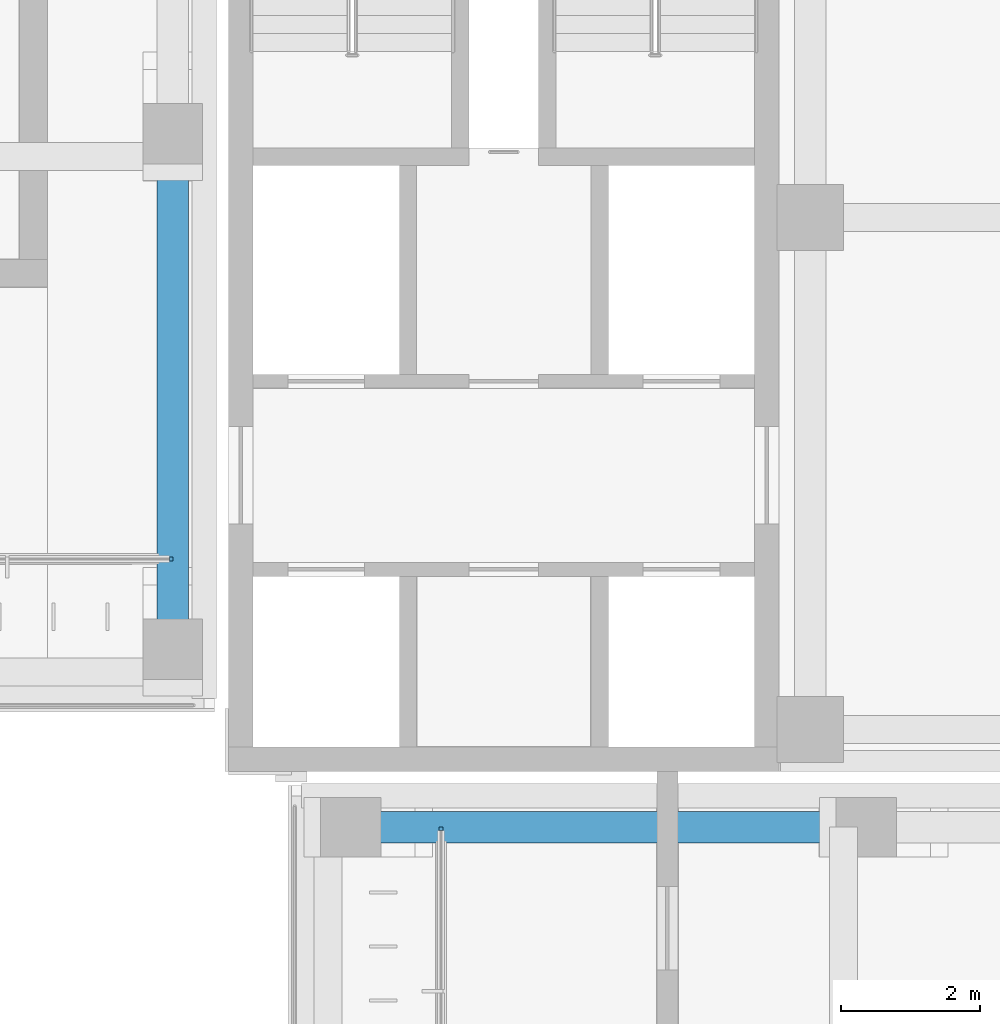
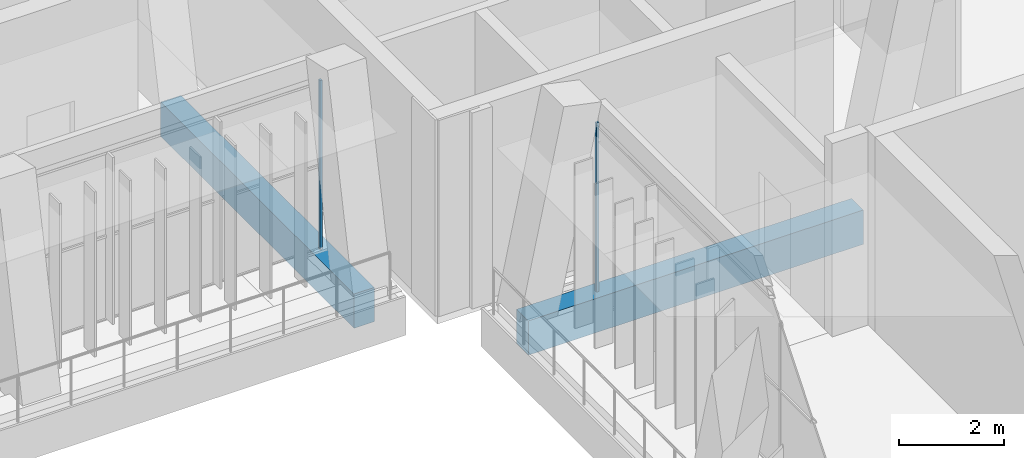
# One storey, part 47 of 92: 2 beams, 2 members, 2 elements without a shape of their own.
"""IFC4 building model written with IfcOpenShell, lengths in metres."""

from ifc_helpers import new_model, si_unit, direction, frame, origin, origin_2d, place, context, subcontext, project, spatial, rectangle, extrude, material, material_profile, profile_set, type_object, element, aggregate, save


model = new_model("IFC4")

# Units and contexts
model_context = context("Model", 3, precision=1e-05, world=origin(), true_north=direction((0.0, 1.0)))
body_context = subcontext(model_context, "Body", "Model", "MODEL_VIEW")
ifc_project = project(units=[si_unit("LENGTHUNIT", "METRE"), si_unit("AREAUNIT", "SQUARE_METRE"), si_unit("VOLUMEUNIT", "CUBIC_METRE"), si_unit("PLANEANGLEUNIT", "RADIAN"), si_unit("MASSUNIT", "GRAM", prefix="KILO")], contexts=[model_context])

# Site, building, storey
site_placement = place(None, origin())
site = spatial("IfcSite", under=ifc_project, at=site_placement, CompositionType="ELEMENT")
building_placement = place(site_placement, origin())
building = spatial("IfcBuilding", under=site, at=building_placement, Name="Lantern Court Media Centre", CompositionType="ELEMENT")
storey_placement = place(building_placement, frame((0.0, 0.0, 4.800048828125)))
storey = spatial("IfcBuildingStorey", under=building, at=storey_placement, Name="L01", CompositionType="ELEMENT", Elevation=4.800048828125)

# Curtain wall, member
ifc_material_1 = material(Name="Curtain wall bay 2400")
curtain_wall_type = type_object("IfcCurtainWallType", Name="Curtain wall bay 2400", PredefinedType="NOTDEFINED", material=ifc_material_1)
curtain_wall_1_placement = place(storey_placement, origin())
curtain_wall_1 = element("IfcCurtainWall", 1, at=curtain_wall_1_placement, inside=storey, type_object=curtain_wall_type, Name="Curtain wall N inner L01", PredefinedType="NOTDEFINED")
ifc_material_2 = material(Name="Anodised aluminium", Category="aluminium")
ifc_material_profile_1 = material_profile(ifc_material_2, rectangle(XDim=0.06005859375, YDim=0.050048828125, at=origin_2d()), Name="AL 50x60")
ifc_profile_set_1 = profile_set([ifc_material_profile_1], Name="Anodised aluminium")
member_type = type_object("IfcMemberType", Name="Curtain wall mullion 50x60", PredefinedType="MULLION", material=ifc_profile_set_1)
member_1_placement = place(storey_placement, frame((79.27490234375, 99.14990234375, 0.0), z_axis=(0.0, 0.0, 1.0), x_axis=(0.0, 1.0, 0.0)))
member_1 = element("IfcMember", 2, at=member_1_placement, type_object=member_type, Name="CW2 mullion 24", PredefinedType="MULLION", context=body_context, shape_type="SweptSolid", body=[
    extrude(rectangle(XDim=0.06005859375, YDim=0.050048828125, at=origin_2d()), origin(), (0.0, 0.0, 1.0), 3.949951171875),
])
aggregate(curtain_wall_1, [member_1])

curtain_wall_2_placement = place(storey_placement, origin())
curtain_wall_2 = element("IfcCurtainWall", 3, at=curtain_wall_2_placement, inside=storey, type_object=curtain_wall_type, Name="Curtain wall E inner L01", PredefinedType="NOTDEFINED")
member_2_placement = place(storey_placement, frame((83.14990234375, 95.27490234375, 0.0), z_axis=(0.0, 0.0, 1.0), x_axis=(-1.0, 0.0, 0.0)))
member_2 = element("IfcMember", 4, at=member_2_placement, type_object=member_type, Name="CW2 mullion 14", PredefinedType="MULLION", context=body_context, shape_type="SweptSolid", body=[
    extrude(rectangle(XDim=0.06005859375, YDim=0.050048828125, at=origin_2d()), origin(), (0.0, 0.0, 1.0), 3.949951171875),
])
aggregate(curtain_wall_2, [member_2])

# Beams
ifc_material_3 = material(Name="Concrete C35", Category="concrete")
ifc_material_profile_2 = material_profile(ifc_material_3, rectangle(XDim=0.449951171875, YDim=0.800048828125, at=origin_2d()), Name="RC 450x800")
ifc_profile_set_2 = profile_set([ifc_material_profile_2], Name="Concrete C35")
beam_type = type_object("IfcBeamType", Name="RC BEAM 450x800", PredefinedType="BEAM", material=ifc_profile_set_2)
for number, where, z_axis, x_axis, name in (
    (5, (79.300048828125, 97.5166015625, -0.400146484375), (0.0, 1.0, 0.0), (-1.0, 0.0, 0.0), "TB-N-L01-7-1"),
    (6, (81.5166015625, 95.300048828125, -0.400146484375), (1.0, 0.0, 0.0), (0.0, 1.0, 0.0), "TB-E-L01-4-1"),
):
    element("IfcBeam", number, at=place(storey_placement, frame(where, z_axis=z_axis, x_axis=x_axis)), inside=storey, type_object=beam_type, Name=name, PredefinedType="BEAM", context=body_context, shape_type="SweptSolid", body=[
        extrude(rectangle(XDim=0.449951171875, YDim=0.800048828125, at=origin_2d()), origin(), (0.0, 0.0, 1.0), 7.400146484375),
    ])

save(model, "model.ifc")
